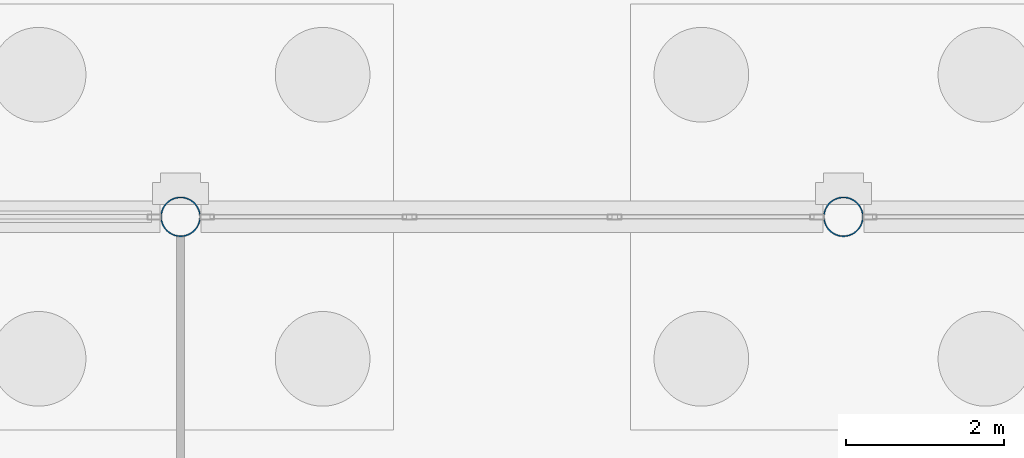
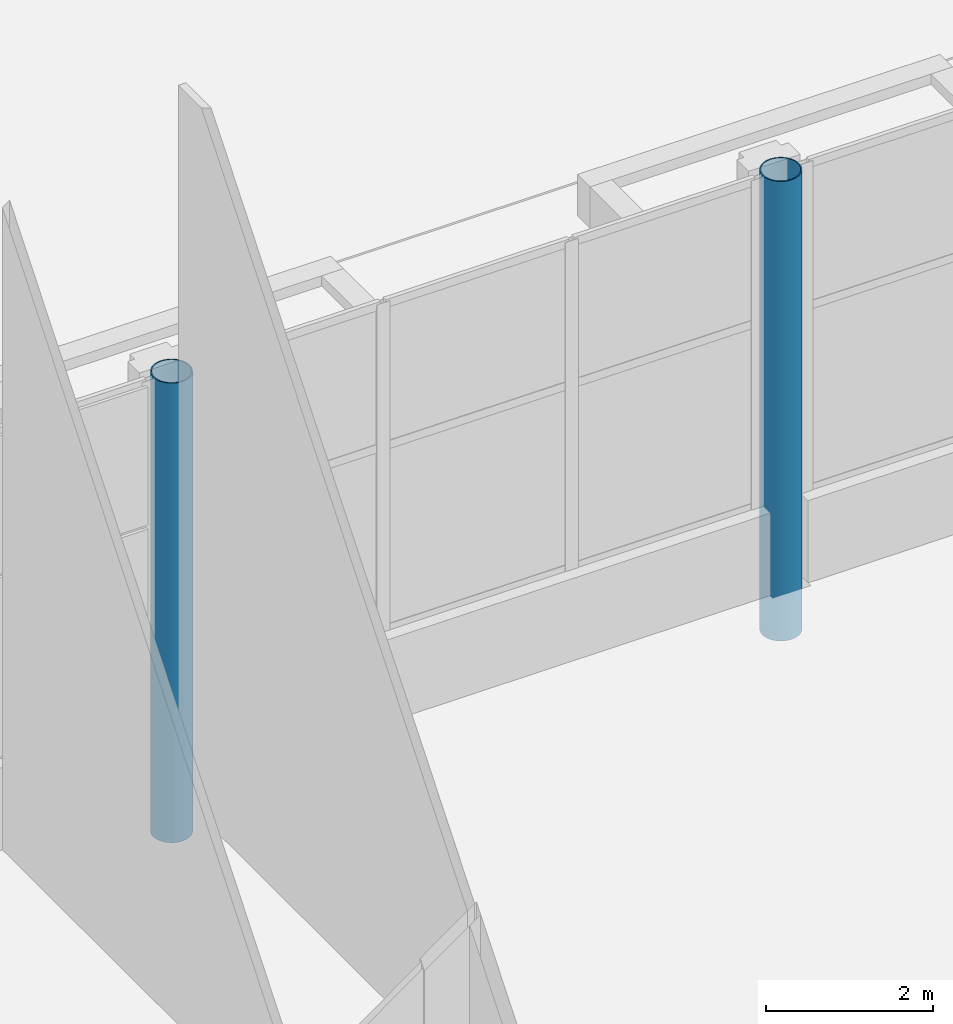
# One storey, part 27 of 212: 2 columns.
"""IFC4 building model written with IfcOpenShell, lengths in metres."""

from ifc_helpers import new_model, si_unit, direction, frame, origin, origin_2d, place, context, subcontext, project, spatial, hollow_circle, extrude, material, material_profile, profile_set, type_object, element, save


model = new_model("IFC4")

# Units and contexts
model_context = context("Model", 3, precision=1e-05, world=origin(), true_north=direction((0.0, 1.0)))
body_context = subcontext(model_context, "Body", "Model", "MODEL_VIEW")
ifc_project = project(units=[si_unit("LENGTHUNIT", "METRE"), si_unit("AREAUNIT", "SQUARE_METRE"), si_unit("VOLUMEUNIT", "CUBIC_METRE"), si_unit("PLANEANGLEUNIT", "RADIAN"), si_unit("MASSUNIT", "GRAM", prefix="KILO")], contexts=[model_context])

# Site, building, storey
site_placement = place(None, origin())
site = spatial("IfcSite", under=ifc_project, at=site_placement, CompositionType="ELEMENT")
building_placement = place(site_placement, origin())
building = spatial("IfcBuilding", under=site, at=building_placement, Name="Catenary Quay Ferry Terminal", CompositionType="ELEMENT")
storey_placement = place(building_placement, origin())
storey = spatial("IfcBuildingStorey", under=building, at=storey_placement, Name="L00", CompositionType="ELEMENT", Elevation=0.0)

# Columns
ifc_material = material(Name="Steel S355", Category="steel")
ifc_material_profile = material_profile(ifc_material, hollow_circle(Radius=0.25390625, WallThickness=0.01611328125, at=origin_2d()), Name="CHS 508x16")
ifc_profile_set = profile_set([ifc_material_profile], Name="Steel S355")
column_type = type_object("IfcColumnType", Name="C4 CHS 508x16", PredefinedType="COLUMN", material=ifc_profile_set)
for number, where, z_axis, x_axis, name in (
    (1, (50.39990234375, 142.800048828125, -0.699951171875), (0.0, 0.0, 1.0), (1.0, 0.0, 0.0), "Column C-G18 L00"),
    (2, (58.800048828125, 142.800048828125, -0.699951171875), (0.0, 0.0, 1.0), (1.0, 0.0, 0.0), "Column C-H18 L00"),
):
    element("IfcColumn", number, at=place(storey_placement, frame(where, z_axis=z_axis, x_axis=x_axis)), inside=storey, type_object=column_type, Name=name, PredefinedType="COLUMN", context=body_context, shape_type="SweptSolid", body=[
        extrude(hollow_circle(Radius=0.25390625, WallThickness=0.01611328125, at=origin_2d()), origin(), (0.0, 0.0, 1.0), 6.699951171875),
    ])

save(model, "model.ifc")
